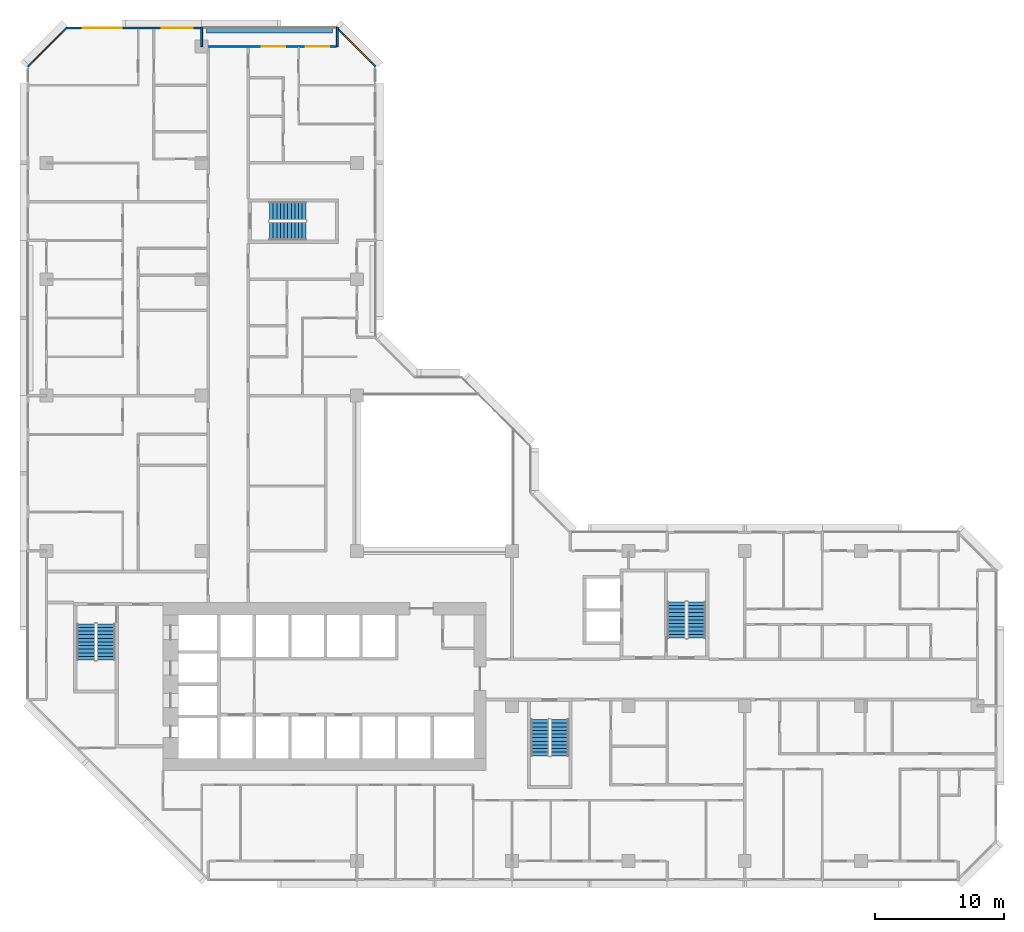
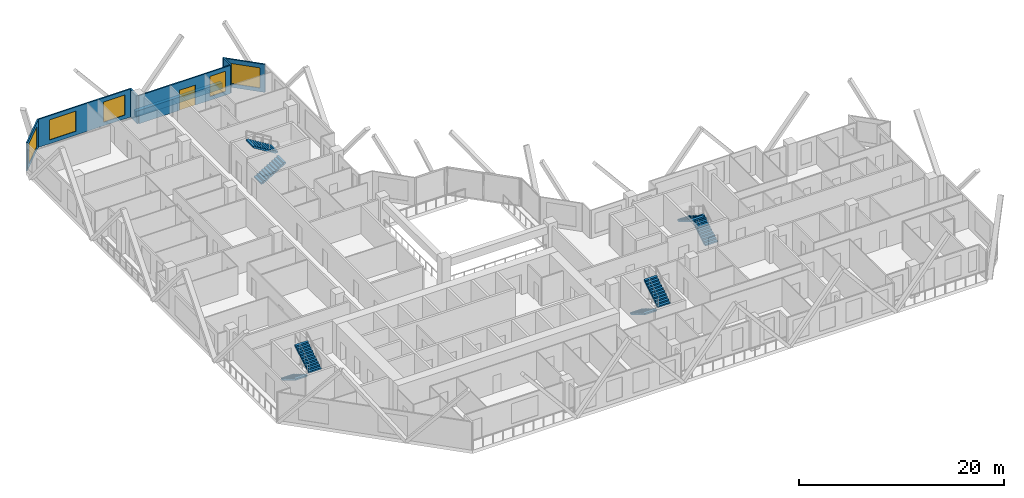
# One storey, part 14 of 16: 8 stair flights, 7 walls, 5 windows, 1 door, 6 openings, 4 elements without a shape of their own.
"""IFC4 building model written with IfcOpenShell, lengths in metres."""

from ifc_helpers import new_model, si_unit, direction, frame, frame_2d, origin, place, context, subcontext, project, spatial, polyline, rectangle, outline, extrude, material, layer, layer_set, type_object, element, fill, aggregate, save


model = new_model("IFC4")

# Units and contexts
model_context = context("Model", 3, precision=1e-05, world=origin(), true_north=direction((0.0, 1.0)))
body_context = subcontext(model_context, "Body", "Model", "MODEL_VIEW")
ifc_project = project(units=[si_unit("LENGTHUNIT", "METRE"), si_unit("AREAUNIT", "SQUARE_METRE"), si_unit("VOLUMEUNIT", "CUBIC_METRE"), si_unit("PLANEANGLEUNIT", "RADIAN"), si_unit("MASSUNIT", "GRAM", prefix="KILO")], contexts=[model_context])

# Site, building, storey
site_placement = place(None, origin())
site = spatial("IfcSite", under=ifc_project, at=site_placement, CompositionType="ELEMENT")
building_placement = place(site_placement, origin())
building = spatial("IfcBuilding", under=site, at=building_placement, Name="Chenar Terraces", CompositionType="ELEMENT")
storey_placement = place(building_placement, frame((0.0, 0.0, 99.39990234375)))
storey = spatial("IfcBuildingStorey", under=building, at=storey_placement, Name="L22", CompositionType="ELEMENT", Elevation=99.39990234375)

# Wall, openings, windows
ifc_material_1 = material(Name="Aluminium framed glazing", Category="aluminium")
ifc_layer_1 = layer(ifc_material_1, 0.14990234375)
ifc_layer_set_1 = layer_set([ifc_layer_1], Name="Aluminium framed glazing")
wall_type_1 = type_object("IfcWallType", Name="Glazed flush facade wall 150", PredefinedType="SOLIDWALL", material=ifc_layer_set_1)
wall_1_placement = place(storey_placement, frame((11.925048828125, 64.425048828125, 0.0), z_axis=(0.0, 0.0, 1.0), x_axis=(-1.0, 0.0, 0.0)))
wall_1 = element("IfcWall", 1, at=wall_1_placement, inside=storey, type_object=wall_type_1, Name="Glazed flush facade wall", PredefinedType="SOLIDWALL", context=body_context, shape_type="SweptSolid", body=[
    extrude(rectangle(XDim=10.425048828125, YDim=0.14990234375, at=frame_2d((5.21240234375, 0.0))), origin(), (0.0, 0.0, 1.0), 3.35009765625),
])
opening_1_placement = place(wall_1_placement, frame((0.612548828125, 0.0, 0.449951171875)))
opening_1 = element("IfcOpeningElement", 2, at=opening_1_placement, cuts=wall_1, Name="Opening W240x240", PredefinedType="OPENING", context=body_context, shape_type="SweptSolid", body=[
    extrude(rectangle(XDim=2.39990234375, YDim=2.39990234375, at=frame_2d((1.199951171875, 1.199951171875))), frame((0.0, 0.0849609375, 0.0), z_axis=(0.0, -1.0, 0.0), x_axis=(1.0, 0.0, 0.0)), (0.0, 0.0, 1.0), 0.169921875),
])
opening_2_placement = place(wall_1_placement, frame((6.125, 0.0, 0.449951171875)))
opening_2 = element("IfcOpeningElement", 3, at=opening_2_placement, cuts=wall_1, Name="Opening W300x240", PredefinedType="OPENING", context=body_context, shape_type="SweptSolid", body=[
    extrude(rectangle(XDim=3.0, YDim=2.39990234375, at=frame_2d((1.5, 1.199951171875))), frame((0.0, 0.0849609375, 0.0), z_axis=(0.0, -1.0, 0.0), x_axis=(1.0, 0.0, 0.0)), (0.0, 0.0, 1.0), 0.169921875),
])
ifc_material_2 = material(Name="Low emissivity double glazing, aluminium frame", Category="aluminium")
window_type_1 = type_object("IfcWindowType", Name="Fixed light 2400 x 2400", PartitioningType="SINGLE_PANEL", PredefinedType="WINDOW", material=ifc_material_2)
window_1_placement = place(opening_1_placement, origin())
window_1 = element("IfcWindow", 4, at=window_1_placement, inside=storey, type_object=window_type_1, Name="Window", OverallHeight=2.39990234375, OverallWidth=2.39990234375, PartitioningType="SINGLE_PANEL", PredefinedType="WINDOW", context=body_context, shape_type="SweptSolid", body=[
    extrude(rectangle(XDim=2.39990234375, YDim=2.39990234375, at=frame_2d((1.199951171875, 1.199951171875))), frame((0.0, 0.030029296875, 0.0), z_axis=(0.0, -1.0, 0.0), x_axis=(1.0, 0.0, 0.0)), (0.0, 0.0, 1.0), 0.06005859375),
])
fill(opening_1, window_1)
ifc_material_3 = material(Name="Low emissivity double glazing, aluminium frame", Category="aluminium")
window_type_2 = type_object("IfcWindowType", Name="Fixed light 3000 x 2400", PartitioningType="SINGLE_PANEL", PredefinedType="WINDOW", material=ifc_material_3)
window_2_placement = place(opening_2_placement, origin())
window_2 = element("IfcWindow", 5, at=window_2_placement, inside=storey, type_object=window_type_2, Name="Window", OverallHeight=2.39990234375, OverallWidth=3.0, PartitioningType="SINGLE_PANEL", PredefinedType="WINDOW", context=body_context, shape_type="SweptSolid", body=[
    extrude(rectangle(XDim=3.0, YDim=2.39990234375, at=frame_2d((1.5, 1.199951171875))), frame((0.0, 0.030029296875, 0.0), z_axis=(0.0, -1.0, 0.0), x_axis=(1.0, 0.0, 0.0)), (0.0, 0.0, 1.0), 0.06005859375),
])
fill(opening_2, window_2)

# Wall, openings, window, door
ifc_material_4 = material(Name="Aluminium framed glazing", Category="aluminium")
ifc_layer_2 = layer(ifc_material_4, 0.14990234375)
ifc_layer_set_2 = layer_set([ifc_layer_2], Name="Aluminium framed glazing")
wall_type_2 = type_object("IfcWallType", Name="Glazed loggia back wall 150", PredefinedType="SOLIDWALL", material=ifc_layer_set_2)
wall_2_placement = place(storey_placement, frame((22.425048828125, 63.0, 0.0), z_axis=(0.0, 0.0, 1.0), x_axis=(-1.0, 0.0, 0.0)))
wall_2 = element("IfcWall", 6, at=wall_2_placement, inside=storey, type_object=wall_type_2, Name="Glazed loggia back wall", PredefinedType="SOLIDWALL", context=body_context, shape_type="SweptSolid", body=[
    extrude(rectangle(XDim=10.35009765625, YDim=0.14990234375, at=frame_2d((5.175048828125, 0.0))), origin(), (0.0, 0.0, 1.0), 3.35009765625),
])
opening_3_placement = place(wall_2_placement, frame((0.5625, 0.0, 0.449951171875)))
opening_3 = element("IfcOpeningElement", 7, at=opening_3_placement, cuts=wall_2, Name="Opening W180x240", PredefinedType="OPENING", context=body_context, shape_type="SweptSolid", body=[
    extrude(rectangle(XDim=1.800048828125, YDim=2.39990234375, at=frame_2d((0.89990234375, 1.199951171875))), frame((0.0, 0.0849609375, 0.0), z_axis=(0.0, -1.0, 0.0), x_axis=(1.0, 0.0, 0.0)), (0.0, 0.0, 1.0), 0.169921875),
])
opening_4_placement = place(wall_2_placement, frame((3.97509765625, 0.0, 0.0)))
opening_4 = element("IfcOpeningElement", 8, at=opening_4_placement, cuts=wall_2, Name="Opening DL22-G3", PredefinedType="OPENING", context=body_context, shape_type="SweptSolid", body=[
    extrude(rectangle(XDim=1.800048828125, YDim=2.39990234375, at=frame_2d((0.89990234375, 1.199951171875))), frame((0.0, 0.0849609375, 0.0), z_axis=(0.0, -1.0, 0.0), x_axis=(1.0, 0.0, 0.0)), (0.0, 0.0, 1.0), 0.169921875),
])
ifc_material_5 = material(Name="Low emissivity double glazing, aluminium frame", Category="aluminium")
window_type_3 = type_object("IfcWindowType", Name="Fixed light 1800 x 2400", PartitioningType="SINGLE_PANEL", PredefinedType="WINDOW", material=ifc_material_5)
window_3_placement = place(opening_3_placement, origin())
window_3 = element("IfcWindow", 9, at=window_3_placement, inside=storey, type_object=window_type_3, Name="Window", OverallHeight=2.39990234375, OverallWidth=1.800048828125, PartitioningType="SINGLE_PANEL", PredefinedType="WINDOW", context=body_context, shape_type="SweptSolid", body=[
    extrude(rectangle(XDim=1.800048828125, YDim=2.39990234375, at=frame_2d((0.89990234375, 1.199951171875))), frame((0.0, 0.030029296875, 0.0), z_axis=(0.0, -1.0, 0.0), x_axis=(1.0, 0.0, 0.0)), (0.0, 0.0, 1.0), 0.06005859375),
])
fill(opening_3, window_3)
ifc_material_6 = material(Name="Low emissivity double glazing, aluminium frame", Category="aluminium")
door_type = type_object("IfcDoorType", Name="Loggia glazed double door 1800 x 2400", OperationType="DOUBLE_DOOR_SINGLE_SWING", PredefinedType="DOOR", material=ifc_material_6)
door_placement = place(opening_4_placement, frame((1.800048828125, 0.0, 0.0), z_axis=(0.0, 0.0, 1.0), x_axis=(-1.0, 0.0, 0.0)))
door = element("IfcDoor", 10, at=door_placement, inside=storey, type_object=door_type, Name="Loggia glazed door", OperationType="DOUBLE_DOOR_SINGLE_SWING", OverallHeight=2.39990234375, OverallWidth=1.800048828125, PredefinedType="DOOR", context=body_context, shape_type="SweptSolid", body=[
    extrude(rectangle(XDim=1.800048828125, YDim=2.39990234375, at=frame_2d((0.89990234375, 1.199951171875))), frame((0.0, 0.02490234375, 0.0), z_axis=(0.0, -1.0, 0.0), x_axis=(1.0, 0.0, 0.0)), (0.0, 0.0, 1.0), 0.050048828125),
])
fill(opening_4, door)

# Walls
ifc_material_7 = material(Name="Terracotta cladding on insulated backing", Category="masonry")
ifc_layer_3 = layer(ifc_material_7, 0.14990234375)
ifc_layer_set_3 = layer_set([ifc_layer_3], Name="Terracotta cladding on insulated backing")
wall_type_3 = type_object("IfcWallType", Name="Loggia return wall 150", PredefinedType="SOLIDWALL", material=ifc_layer_set_3)
for number, where, z_axis, x_axis, name in (
    (11, (22.5, 64.5, 0.0), (0.0, 0.0, 1.0), (0.0, -1.0, 0.0), "Loggia return wall"),
    (12, (12.0, 64.5, 0.0), (0.0, 0.0, 1.0), (0.0, -1.0, 0.0), "Loggia return wall"),
):
    element("IfcWall", number, at=place(storey_placement, frame(where, z_axis=z_axis, x_axis=x_axis)), inside=storey, type_object=wall_type_3, Name=name, PredefinedType="SOLIDWALL", context=body_context, shape_type="SweptSolid", body=[
        extrude(rectangle(XDim=1.5, YDim=0.14990234375, at=frame_2d((0.75, 0.0))), origin(), (0.0, 0.0, 1.0), 3.35009765625),
    ])

# Wall, opening, window
ifc_material_8 = material(Name="Terracotta cladding on insulated backing", Category="masonry")
ifc_layer_4 = layer(ifc_material_8, 0.14990234375)
ifc_layer_set_4 = layer_set([ifc_layer_4], Name="Terracotta cladding on insulated backing")
wall_type_4 = type_object("IfcWallType", Name="Terracotta rainscreen wall 150", PredefinedType="SOLIDWALL", material=ifc_layer_set_4)
wall_3_placement = place(storey_placement, frame((25.447021484375, 61.447021484375, 0.0), z_axis=(0.0, 0.0, 1.0), x_axis=(-0.707106781187, 0.707106781187, 0.0)))
wall_3 = element("IfcWall", 13, at=wall_3_placement, inside=storey, type_object=wall_type_4, Name="Terracotta rainscreen wall", PredefinedType="SOLIDWALL", context=body_context, shape_type="SweptSolid", body=[
    extrude(rectangle(XDim=4.24267578125, YDim=0.14990234375, at=frame_2d((2.121337890625, 0.0))), origin(), (0.0, 0.0, 1.0), 3.35009765625),
])
opening_5_placement = place(wall_3_placement, frame((0.498046875, 0.0, 0.449951171875)))
opening_5 = element("IfcOpeningElement", 14, at=opening_5_placement, cuts=wall_3, Name="Opening W300x240", PredefinedType="OPENING", context=body_context, shape_type="SweptSolid", body=[
    extrude(rectangle(XDim=3.0, YDim=2.39990234375, at=frame_2d((1.5, 1.199951171875))), frame((0.0, 0.0849609375, 0.0), z_axis=(0.0, -1.0, 0.0), x_axis=(1.0, 0.0, 0.0)), (0.0, 0.0, 1.0), 0.169921875),
])
window_4_placement = place(opening_5_placement, origin())
window_4 = element("IfcWindow", 15, at=window_4_placement, inside=storey, type_object=window_type_2, Name="Window", OverallHeight=2.39990234375, OverallWidth=3.0, PartitioningType="SINGLE_PANEL", PredefinedType="WINDOW", context=body_context, shape_type="SweptSolid", body=[
    extrude(rectangle(XDim=3.0, YDim=2.39990234375, at=frame_2d((1.5, 1.199951171875))), frame((0.0, 0.030029296875, 0.0), z_axis=(0.0, -1.0, 0.0), x_axis=(1.0, 0.0, 0.0)), (0.0, 0.0, 1.0), 0.06005859375),
])
fill(opening_5, window_4)

wall_4_placement = place(storey_placement, frame((1.552978515625, 64.447021484375, 0.0), z_axis=(0.0, 0.0, 1.0), x_axis=(-0.707106781187, -0.707106781187, 0.0)))
wall_4 = element("IfcWall", 16, at=wall_4_placement, inside=storey, type_object=wall_type_4, Name="Terracotta rainscreen wall", PredefinedType="SOLIDWALL", context=body_context, shape_type="SweptSolid", body=[
    extrude(rectangle(XDim=4.24267578125, YDim=0.14990234375, at=frame_2d((2.121337890625, 0.0))), origin(), (0.0, 0.0, 1.0), 3.35009765625),
])
opening_6_placement = place(wall_4_placement, frame((0.621337890625, 0.0, 0.449951171875)))
opening_6 = element("IfcOpeningElement", 17, at=opening_6_placement, cuts=wall_4, Name="Opening W300x240", PredefinedType="OPENING", context=body_context, shape_type="SweptSolid", body=[
    extrude(rectangle(XDim=3.0, YDim=2.39990234375, at=frame_2d((1.5, 1.199951171875))), frame((0.0, 0.0849609375, 0.0), z_axis=(0.0, -1.0, 0.0), x_axis=(1.0, 0.0, 0.0)), (0.0, 0.0, 1.0), 0.169921875),
])
window_5_placement = place(opening_6_placement, origin())
window_5 = element("IfcWindow", 18, at=window_5_placement, inside=storey, type_object=window_type_2, Name="Window", OverallHeight=2.39990234375, OverallWidth=3.0, PartitioningType="SINGLE_PANEL", PredefinedType="WINDOW", context=body_context, shape_type="SweptSolid", body=[
    extrude(rectangle(XDim=3.0, YDim=2.39990234375, at=frame_2d((1.5, 1.199951171875))), frame((0.0, 0.030029296875, 0.0), z_axis=(0.0, -1.0, 0.0), x_axis=(1.0, 0.0, 0.0)), (0.0, 0.0, 1.0), 0.06005859375),
])
fill(opening_6, window_5)

# Wall
ifc_material_9 = material(Name="GRP planter trough")
ifc_layer_5 = layer(ifc_material_9, 0.39990234375)
ifc_layer_set_5 = layer_set([ifc_layer_5], Name="GRP planter trough")
wall_type_5 = type_object("IfcWallType", Name="Vertical greenery planter 400", PredefinedType="SOLIDWALL", material=ifc_layer_set_5)
wall_5_placement = place(storey_placement, frame((22.125, 64.22900390625, 0.0), z_axis=(0.0, 0.0, 1.0), x_axis=(-1.0, 0.0, 0.0)))
element("IfcWall", 19, at=wall_5_placement, inside=storey, type_object=wall_type_5, Name="Vertical greenery planter", PredefinedType="SOLIDWALL", context=body_context, shape_type="SweptSolid", body=[
    extrude(rectangle(XDim=9.75, YDim=0.39990234375, at=frame_2d((4.875, 0.0))), origin(), (0.0, 0.0, 1.0), 0.7001953125),
])

# Stair, stair flights
ifc_material_10 = material(Name="Reinforced concrete C40/50", Category="concrete")
stair_type = type_object("IfcStairType", Name="Core stair 1400 half-turn", PredefinedType="HALF_TURN_STAIR", material=ifc_material_10)
placement = place(storey_placement, origin())
stair_1 = element("IfcStair", 20, at=placement, inside=storey, type_object=stair_type, Name="L22 Stair 1", PredefinedType="HALF_TURN_STAIR")
ifc_material_11 = material(Name="Reinforced concrete C40/50", Category="concrete")
stair_flight_type = type_object("IfcStairFlightType", Name="Core stair flight 1400", PredefinedType="STRAIGHT", material=ifc_material_11)
stair_flight_1_placement = place(storey_placement, frame((3.050048828125, 18.35009765625, 0.0), z_axis=(0.0, 0.0, 1.0), x_axis=(0.0, -1.0, 0.0)))
stair_flight_1 = element("IfcStairFlight", 21, at=stair_flight_1_placement, type_object=stair_flight_type, Name="ST1 flight 1", NumberOfRisers=11, NumberOfTreads=10, PredefinedType="STRAIGHT", RiserHeight=0.170454545, TreadLength=0.28, context=body_context, shape_type="SweptSolid", body=[
    extrude(outline(polyline([(-0.0029296875, 0.0), (-0.0029296875, 0.17041015625), (0.0, 0.17041015625), (0.280029296875, 0.17041015625), (0.280029296875, 0.3408203125), (0.56005859375, 0.3408203125), (0.56005859375, 0.511474609375), (0.840087890625, 0.511474609375), (0.840087890625, 0.681884765625), (1.1201171875, 0.681884765625), (1.1201171875, 0.852294921875), (1.39990234375, 0.852294921875), (1.39990234375, 1.022705078125), (1.679931640625, 1.022705078125), (1.679931640625, 1.193115234375), (1.9599609375, 1.193115234375), (1.9599609375, 1.363525390625), (2.239990234375, 1.363525390625), (2.239990234375, 1.5341796875), (2.52001953125, 1.5341796875), (2.52001953125, 1.70458984375), (2.800048828125, 1.70458984375), (2.802978515625, 1.70458984375), (2.802978515625, 1.529052734375), (2.800048828125, 1.529052734375), (0.288330078125, 0.0), (-0.0029296875, 0.0)])), frame((0.0, 0.699951171875, 0.0), z_axis=(0.0, -1.0, 0.0), x_axis=(1.0, 0.0, 0.0)), (0.0, 0.0, 1.0), 1.39990234375),
])
stair_flight_2_placement = place(storey_placement, frame((4.60009765625, 15.550048828125, 1.875), z_axis=(0.0, 0.0, 1.0), x_axis=(0.0, 1.0, 0.0)))
stair_flight_2 = element("IfcStairFlight", 22, at=stair_flight_2_placement, type_object=stair_flight_type, Name="ST1 flight 2", NumberOfRisers=11, NumberOfTreads=10, PredefinedType="STRAIGHT", RiserHeight=0.170454545, TreadLength=0.28, context=body_context, shape_type="SweptSolid", body=[
    extrude(outline(polyline([(-0.0029296875, 0.0), (-0.0029296875, 0.17041015625), (0.0, 0.17041015625), (0.280029296875, 0.17041015625), (0.280029296875, 0.3408203125), (0.56005859375, 0.3408203125), (0.56005859375, 0.511474609375), (0.840087890625, 0.511474609375), (0.840087890625, 0.681884765625), (1.1201171875, 0.681884765625), (1.1201171875, 0.852294921875), (1.39990234375, 0.852294921875), (1.39990234375, 1.022705078125), (1.679931640625, 1.022705078125), (1.679931640625, 1.193115234375), (1.9599609375, 1.193115234375), (1.9599609375, 1.363525390625), (2.239990234375, 1.363525390625), (2.239990234375, 1.5341796875), (2.52001953125, 1.5341796875), (2.52001953125, 1.70458984375), (2.800048828125, 1.70458984375), (2.802978515625, 1.70458984375), (2.802978515625, 1.529052734375), (2.800048828125, 1.529052734375), (0.288330078125, 0.0), (-0.0029296875, 0.0)])), frame((0.0, 0.699951171875, 0.0), z_axis=(0.0, -1.0, 0.0), x_axis=(1.0, 0.0, 0.0)), (0.0, 0.0, 1.0), 1.39990234375),
])
aggregate(stair_1, [stair_flight_1, stair_flight_2])

stair_2 = element("IfcStair", 23, at=placement, inside=storey, type_object=stair_type, Name="L22 Stair 2", PredefinedType="HALF_TURN_STAIR")
stair_flight_3_placement = place(storey_placement, frame((38.14990234375, 10.949951171875, 0.0), z_axis=(0.0, 0.0, 1.0), x_axis=(0.0, -1.0, 0.0)))
stair_flight_3 = element("IfcStairFlight", 24, at=stair_flight_3_placement, type_object=stair_flight_type, Name="ST2 flight 1", NumberOfRisers=11, NumberOfTreads=10, PredefinedType="STRAIGHT", RiserHeight=0.170454545, TreadLength=0.28, context=body_context, shape_type="SweptSolid", body=[
    extrude(outline(polyline([(-0.0029296875, 0.0), (-0.0029296875, 0.17041015625), (0.0, 0.17041015625), (0.280029296875, 0.17041015625), (0.280029296875, 0.3408203125), (0.56005859375, 0.3408203125), (0.56005859375, 0.511474609375), (0.840087890625, 0.511474609375), (0.840087890625, 0.681884765625), (1.1201171875, 0.681884765625), (1.1201171875, 0.852294921875), (1.39990234375, 0.852294921875), (1.39990234375, 1.022705078125), (1.679931640625, 1.022705078125), (1.679931640625, 1.193115234375), (1.9599609375, 1.193115234375), (1.9599609375, 1.363525390625), (2.239990234375, 1.363525390625), (2.239990234375, 1.5341796875), (2.52001953125, 1.5341796875), (2.52001953125, 1.70458984375), (2.800048828125, 1.70458984375), (2.802978515625, 1.70458984375), (2.802978515625, 1.529052734375), (2.800048828125, 1.529052734375), (0.288330078125, 0.0), (-0.0029296875, 0.0)])), frame((0.0, 0.699951171875, 0.0), z_axis=(0.0, -1.0, 0.0), x_axis=(1.0, 0.0, 0.0)), (0.0, 0.0, 1.0), 1.39990234375),
])
stair_flight_4_placement = place(storey_placement, frame((39.699951171875, 8.14990234375, 1.875), z_axis=(0.0, 0.0, 1.0), x_axis=(0.0, 1.0, 0.0)))
stair_flight_4 = element("IfcStairFlight", 25, at=stair_flight_4_placement, type_object=stair_flight_type, Name="ST2 flight 2", NumberOfRisers=11, NumberOfTreads=10, PredefinedType="STRAIGHT", RiserHeight=0.170454545, TreadLength=0.28, context=body_context, shape_type="SweptSolid", body=[
    extrude(outline(polyline([(-0.0029296875, 0.0), (-0.0029296875, 0.17041015625), (0.0, 0.17041015625), (0.280029296875, 0.17041015625), (0.280029296875, 0.3408203125), (0.56005859375, 0.3408203125), (0.56005859375, 0.511474609375), (0.840087890625, 0.511474609375), (0.840087890625, 0.681884765625), (1.1201171875, 0.681884765625), (1.1201171875, 0.852294921875), (1.39990234375, 0.852294921875), (1.39990234375, 1.022705078125), (1.679931640625, 1.022705078125), (1.679931640625, 1.193115234375), (1.9599609375, 1.193115234375), (1.9599609375, 1.363525390625), (2.239990234375, 1.363525390625), (2.239990234375, 1.5341796875), (2.52001953125, 1.5341796875), (2.52001953125, 1.70458984375), (2.800048828125, 1.70458984375), (2.802978515625, 1.70458984375), (2.802978515625, 1.529052734375), (2.800048828125, 1.529052734375), (0.288330078125, 0.0), (-0.0029296875, 0.0)])), frame((0.0, 0.699951171875, 0.0), z_axis=(0.0, -1.0, 0.0), x_axis=(1.0, 0.0, 0.0)), (0.0, 0.0, 1.0), 1.39990234375),
])
aggregate(stair_2, [stair_flight_3, stair_flight_4])

stair_3 = element("IfcStair", 26, at=placement, inside=storey, type_object=stair_type, Name="L22 Stair 3", PredefinedType="HALF_TURN_STAIR")
stair_flight_5_placement = place(storey_placement, frame((50.27490234375, 17.25, 0.0), z_axis=(0.0, 0.0, 1.0), x_axis=(0.0, 1.0, 0.0)))
stair_flight_5 = element("IfcStairFlight", 27, at=stair_flight_5_placement, type_object=stair_flight_type, Name="ST3 flight 1", NumberOfRisers=11, NumberOfTreads=10, PredefinedType="STRAIGHT", RiserHeight=0.170454545, TreadLength=0.28, context=body_context, shape_type="SweptSolid", body=[
    extrude(outline(polyline([(-0.0029296875, 0.0), (-0.0029296875, 0.17041015625), (0.0, 0.17041015625), (0.280029296875, 0.17041015625), (0.280029296875, 0.3408203125), (0.56005859375, 0.3408203125), (0.56005859375, 0.511474609375), (0.840087890625, 0.511474609375), (0.840087890625, 0.681884765625), (1.1201171875, 0.681884765625), (1.1201171875, 0.852294921875), (1.39990234375, 0.852294921875), (1.39990234375, 1.022705078125), (1.679931640625, 1.022705078125), (1.679931640625, 1.193115234375), (1.9599609375, 1.193115234375), (1.9599609375, 1.363525390625), (2.239990234375, 1.363525390625), (2.239990234375, 1.5341796875), (2.52001953125, 1.5341796875), (2.52001953125, 1.70458984375), (2.800048828125, 1.70458984375), (2.802978515625, 1.70458984375), (2.802978515625, 1.529052734375), (2.800048828125, 1.529052734375), (0.288330078125, 0.0), (-0.0029296875, 0.0)])), frame((0.0, 0.699951171875, 0.0), z_axis=(0.0, -1.0, 0.0), x_axis=(1.0, 0.0, 0.0)), (0.0, 0.0, 1.0), 1.39990234375),
])
stair_flight_6_placement = place(storey_placement, frame((48.72509765625, 20.050048828125, 1.875), z_axis=(0.0, 0.0, 1.0), x_axis=(0.0, -1.0, 0.0)))
stair_flight_6 = element("IfcStairFlight", 28, at=stair_flight_6_placement, type_object=stair_flight_type, Name="ST3 flight 2", NumberOfRisers=11, NumberOfTreads=10, PredefinedType="STRAIGHT", RiserHeight=0.170454545, TreadLength=0.28, context=body_context, shape_type="SweptSolid", body=[
    extrude(outline(polyline([(-0.0029296875, 0.0), (-0.0029296875, 0.17041015625), (0.0, 0.17041015625), (0.280029296875, 0.17041015625), (0.280029296875, 0.3408203125), (0.56005859375, 0.3408203125), (0.56005859375, 0.511474609375), (0.840087890625, 0.511474609375), (0.840087890625, 0.681884765625), (1.1201171875, 0.681884765625), (1.1201171875, 0.852294921875), (1.39990234375, 0.852294921875), (1.39990234375, 1.022705078125), (1.679931640625, 1.022705078125), (1.679931640625, 1.193115234375), (1.9599609375, 1.193115234375), (1.9599609375, 1.363525390625), (2.239990234375, 1.363525390625), (2.239990234375, 1.5341796875), (2.52001953125, 1.5341796875), (2.52001953125, 1.70458984375), (2.800048828125, 1.70458984375), (2.802978515625, 1.70458984375), (2.802978515625, 1.529052734375), (2.800048828125, 1.529052734375), (0.288330078125, 0.0), (-0.0029296875, 0.0)])), frame((0.0, 0.699951171875, 0.0), z_axis=(0.0, -1.0, 0.0), x_axis=(1.0, 0.0, 0.0)), (0.0, 0.0, 1.0), 1.39990234375),
])
aggregate(stair_3, [stair_flight_5, stair_flight_6])

stair_4 = element("IfcStair", 29, at=placement, inside=storey, type_object=stair_type, Name="L22 Stair 4", PredefinedType="HALF_TURN_STAIR")
stair_flight_7_placement = place(storey_placement, frame((17.25, 48.72509765625, 0.0), z_axis=(0.0, 0.0, 1.0), x_axis=(1.0, 0.0, 0.0)))
stair_flight_7 = element("IfcStairFlight", 30, at=stair_flight_7_placement, type_object=stair_flight_type, Name="ST4 flight 1", NumberOfRisers=11, NumberOfTreads=10, PredefinedType="STRAIGHT", RiserHeight=0.170454545, TreadLength=0.28, context=body_context, shape_type="SweptSolid", body=[
    extrude(outline(polyline([(-0.0029296875, 0.0), (-0.0029296875, 0.17041015625), (0.0, 0.17041015625), (0.280029296875, 0.17041015625), (0.280029296875, 0.3408203125), (0.56005859375, 0.3408203125), (0.56005859375, 0.511474609375), (0.840087890625, 0.511474609375), (0.840087890625, 0.681884765625), (1.1201171875, 0.681884765625), (1.1201171875, 0.852294921875), (1.39990234375, 0.852294921875), (1.39990234375, 1.022705078125), (1.679931640625, 1.022705078125), (1.679931640625, 1.193115234375), (1.9599609375, 1.193115234375), (1.9599609375, 1.363525390625), (2.239990234375, 1.363525390625), (2.239990234375, 1.5341796875), (2.52001953125, 1.5341796875), (2.52001953125, 1.70458984375), (2.800048828125, 1.70458984375), (2.802978515625, 1.70458984375), (2.802978515625, 1.529052734375), (2.800048828125, 1.529052734375), (0.288330078125, 0.0), (-0.0029296875, 0.0)])), frame((0.0, 0.699951171875, 0.0), z_axis=(0.0, -1.0, 0.0), x_axis=(1.0, 0.0, 0.0)), (0.0, 0.0, 1.0), 1.39990234375),
])
stair_flight_8_placement = place(storey_placement, frame((20.050048828125, 50.27490234375, 1.875), z_axis=(0.0, 0.0, 1.0), x_axis=(-1.0, 0.0, 0.0)))
stair_flight_8 = element("IfcStairFlight", 31, at=stair_flight_8_placement, type_object=stair_flight_type, Name="ST4 flight 2", NumberOfRisers=11, NumberOfTreads=10, PredefinedType="STRAIGHT", RiserHeight=0.170454545, TreadLength=0.28, context=body_context, shape_type="SweptSolid", body=[
    extrude(outline(polyline([(-0.0029296875, 0.0), (-0.0029296875, 0.17041015625), (0.0, 0.17041015625), (0.280029296875, 0.17041015625), (0.280029296875, 0.3408203125), (0.56005859375, 0.3408203125), (0.56005859375, 0.511474609375), (0.840087890625, 0.511474609375), (0.840087890625, 0.681884765625), (1.1201171875, 0.681884765625), (1.1201171875, 0.852294921875), (1.39990234375, 0.852294921875), (1.39990234375, 1.022705078125), (1.679931640625, 1.022705078125), (1.679931640625, 1.193115234375), (1.9599609375, 1.193115234375), (1.9599609375, 1.363525390625), (2.239990234375, 1.363525390625), (2.239990234375, 1.5341796875), (2.52001953125, 1.5341796875), (2.52001953125, 1.70458984375), (2.800048828125, 1.70458984375), (2.802978515625, 1.70458984375), (2.802978515625, 1.529052734375), (2.800048828125, 1.529052734375), (0.288330078125, 0.0), (-0.0029296875, 0.0)])), frame((0.0, 0.699951171875, 0.0), z_axis=(0.0, -1.0, 0.0), x_axis=(1.0, 0.0, 0.0)), (0.0, 0.0, 1.0), 1.39990234375),
])
aggregate(stair_4, [stair_flight_7, stair_flight_8])

save(model, "model.ifc")
